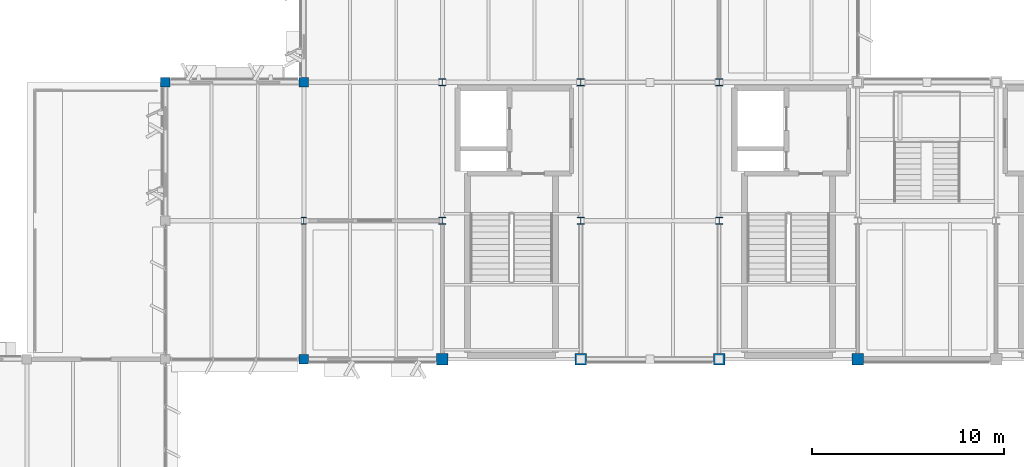
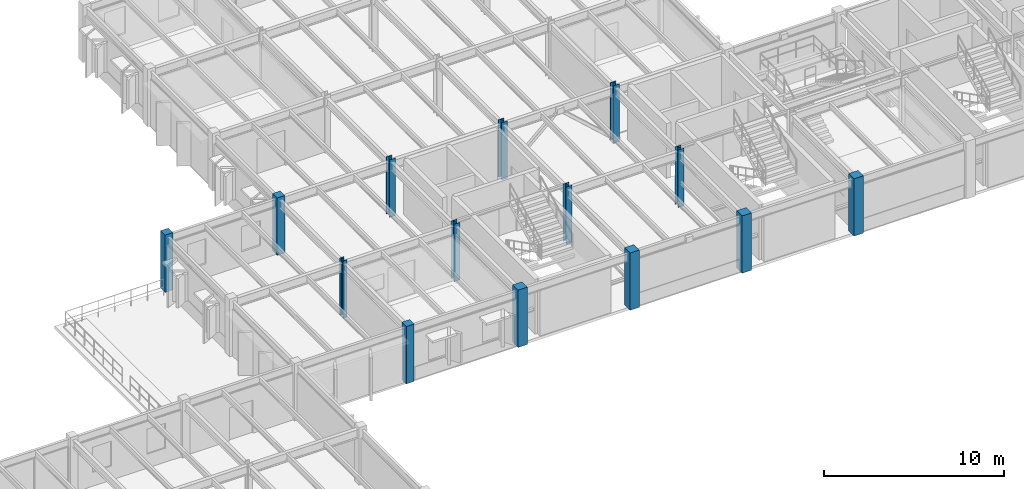
# One storey, part 2 of 35: 14 columns.
"""IFC4 building model written with IfcOpenShell, lengths in metres."""

from ifc_helpers import new_model, si_unit, direction, frame, origin, origin_2d, place, context, subcontext, project, spatial, rectangle, i_section, extrude, material, material_profile, profile_set, type_object, element, save


model = new_model("IFC4")

# Units and contexts
model_context = context("Model", 3, precision=1e-05, world=origin(), true_north=direction((0.0, 1.0)))
body_context = subcontext(model_context, "Body", "Model", "MODEL_VIEW")
ifc_project = project(units=[si_unit("LENGTHUNIT", "METRE"), si_unit("AREAUNIT", "SQUARE_METRE"), si_unit("VOLUMEUNIT", "CUBIC_METRE"), si_unit("PLANEANGLEUNIT", "RADIAN"), si_unit("MASSUNIT", "GRAM", prefix="KILO")], contexts=[model_context])

# Site, building, storey
site_placement = place(None, origin())
site = spatial("IfcSite", under=ifc_project, at=site_placement, CompositionType="ELEMENT")
building_placement = place(site_placement, origin())
building = spatial("IfcBuilding", under=site, at=building_placement, Name="Sillqori Civic Hall", CompositionType="ELEMENT")
storey_placement = place(building_placement, frame((0.0, 0.0, 18.0)))
storey = spatial("IfcBuildingStorey", under=building, at=storey_placement, Name="L05", CompositionType="ELEMENT", Elevation=18.0)

# Columns
ifc_material_1 = material(Name="Concrete C35/45 (H35)", Category="concrete")
ifc_material_profile_1 = material_profile(ifc_material_1, rectangle(XDim=0.5, YDim=0.5, at=origin_2d()), Name="RC 500x500")
ifc_profile_set_1 = profile_set([ifc_material_profile_1], Name="Concrete C35/45 (H35)")
column_type_1 = type_object("IfcColumnType", Name="COL-RC500", PredefinedType="COLUMN", material=ifc_profile_set_1)
for number, where, z_axis, x_axis, name in (
    (1, (36.0, 93.60009765625, 0.0), (0.0, 0.0, 1.0), (1.0, 0.0, 0.0), "L05 column 5-13"),
    (2, (43.199951171875, 79.199951171875, 0.0), (0.0, 0.0, 1.0), (1.0, 0.0, 0.0), "L05 column 6-11"),
    (3, (43.199951171875, 93.60009765625, 0.0), (0.0, 0.0, 1.0), (1.0, 0.0, 0.0), "L05 column 6-13"),
):
    element("IfcColumn", number, at=place(storey_placement, frame(where, z_axis=z_axis, x_axis=x_axis)), inside=storey, type_object=column_type_1, Name=name, PredefinedType="COLUMN", context=body_context, shape_type="SweptSolid", body=[
        extrude(rectangle(XDim=0.5, YDim=0.5, at=origin_2d()), origin(), (0.0, 0.0, 1.0), 3.89990234375),
    ])
ifc_material_profile_2 = material_profile(ifc_material_1, rectangle(XDim=0.60009765625, YDim=0.60009765625, at=origin_2d()), Name="RC 600x600")
ifc_profile_set_2 = profile_set([ifc_material_profile_2], Name="Concrete C35/45 (H35)")
column_type_2 = type_object("IfcColumnType", Name="COL-RC600", PredefinedType="COLUMN", material=ifc_profile_set_2)
for number, where, z_axis, x_axis, name in (
    (4, (50.39990234375, 79.199951171875, 0.0), (0.0, 0.0, 1.0), (1.0, 0.0, 0.0), "L05 column 7-11"),
    (5, (57.60009765625, 79.199951171875, 0.0), (0.0, 0.0, 1.0), (1.0, 0.0, 0.0), "L05 column 8-11"),
    (6, (64.800048828125, 79.199951171875, 0.0), (0.0, 0.0, 1.0), (1.0, 0.0, 0.0), "L05 column 9-11"),
    (7, (72.0, 79.199951171875, 0.0), (0.0, 0.0, 1.0), (1.0, 0.0, 0.0), "L05 column 10-11"),
):
    element("IfcColumn", number, at=place(storey_placement, frame(where, z_axis=z_axis, x_axis=x_axis)), inside=storey, type_object=column_type_2, Name=name, PredefinedType="COLUMN", context=body_context, shape_type="SweptSolid", body=[
        extrude(rectangle(XDim=0.60009765625, YDim=0.60009765625, at=origin_2d()), origin(), (0.0, 0.0, 1.0), 3.89990234375),
    ])
ifc_material_2 = material(Name="Steel ASTM A992", Category="steel")
ifc_material_profile_3 = material_profile(ifc_material_2, i_section(OverallWidth=0.373046875, OverallDepth=0.367919921875, WebThickness=0.014892578125, FlangeThickness=0.02392578125, FilletRadius=0.014892578125, at=origin_2d()), Name="W14X120")
ifc_profile_set_3 = profile_set([ifc_material_profile_3], Name="Steel ASTM A992")
column_type_3 = type_object("IfcColumnType", Name="COL-W14X120", PredefinedType="COLUMN", material=ifc_profile_set_3)
for number, where, z_axis, x_axis, name in (
    (8, (50.39990234375, 86.39990234375, 0.0), (0.0, 0.0, 1.0), (1.0, 0.0, 0.0), "L05 column 7-12"),
    (9, (50.39990234375, 93.60009765625, 0.0), (0.0, 0.0, 1.0), (1.0, 0.0, 0.0), "L05 column 7-13"),
    (10, (57.60009765625, 86.39990234375, 0.0), (0.0, 0.0, 1.0), (1.0, 0.0, 0.0), "L05 column 8-12"),
    (11, (57.60009765625, 93.60009765625, 0.0), (0.0, 0.0, 1.0), (1.0, 0.0, 0.0), "L05 column 8-13"),
    (12, (64.800048828125, 86.39990234375, 0.0), (0.0, 0.0, 1.0), (1.0, 0.0, 0.0), "L05 column 9-12"),
    (13, (64.800048828125, 93.60009765625, 0.0), (0.0, 0.0, 1.0), (1.0, 0.0, 0.0), "L05 column 9-13"),
):
    element("IfcColumn", number, at=place(storey_placement, frame(where, z_axis=z_axis, x_axis=x_axis)), inside=storey, type_object=column_type_3, Name=name, PredefinedType="COLUMN", context=body_context, shape_type="SweptSolid", body=[
        extrude(i_section(OverallWidth=0.373046875, OverallDepth=0.367919921875, WebThickness=0.014892578125, FlangeThickness=0.02392578125, FilletRadius=0.014892578125, at=origin_2d()), origin(), (0.0, 0.0, 1.0), 3.89990234375),
    ])
ifc_material_profile_4 = material_profile(ifc_material_2, i_section(OverallWidth=0.257080078125, OverallDepth=0.363037109375, WebThickness=0.012939453125, FlangeThickness=0.021728515625, FilletRadius=0.014892578125, at=origin_2d()), Name="W14X82")
ifc_profile_set_4 = profile_set([ifc_material_profile_4], Name="Steel ASTM A992")
column_type_4 = type_object("IfcColumnType", Name="COL-W14X82", PredefinedType="COLUMN", material=ifc_profile_set_4)
column_placement = place(storey_placement, frame((43.199951171875, 86.39990234375, 0.0), z_axis=(0.0, 0.0, 1.0), x_axis=(1.0, 0.0, 0.0)))
element("IfcColumn", 14, at=column_placement, inside=storey, type_object=column_type_4, Name="L05 column 6-12", PredefinedType="COLUMN", context=body_context, shape_type="SweptSolid", body=[
    extrude(i_section(OverallWidth=0.257080078125, OverallDepth=0.363037109375, WebThickness=0.012939453125, FlangeThickness=0.021728515625, FilletRadius=0.014892578125, at=origin_2d()), origin(), (0.0, 0.0, 1.0), 3.89990234375),
])

save(model, "model.ifc")
